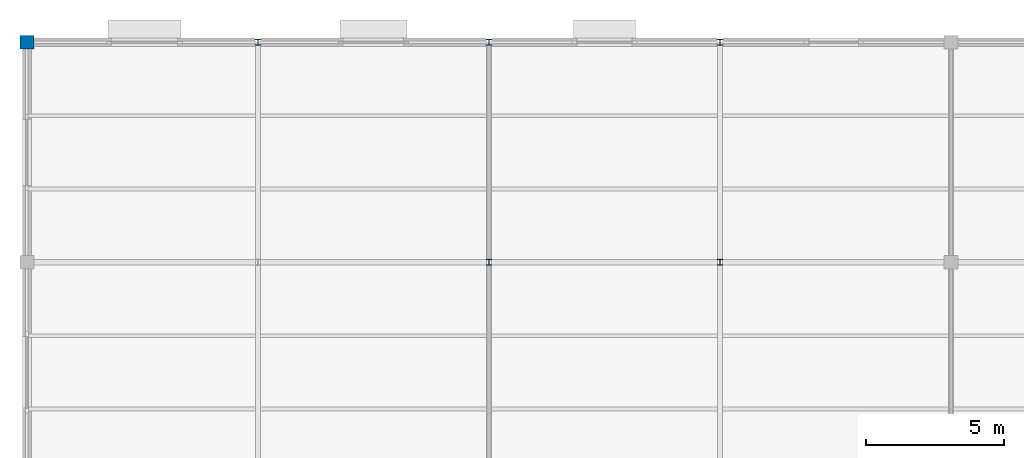
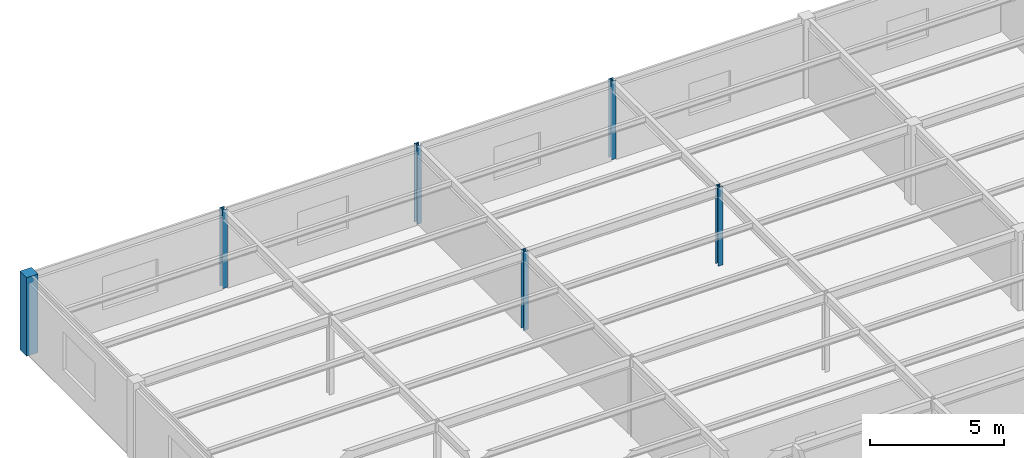
# One storey, part 6 of 32: 6 columns.
"""IFC4 building model written with IfcOpenShell, lengths in metres."""

from ifc_helpers import new_model, si_unit, direction, frame, origin, origin_2d, place, context, subcontext, project, spatial, rectangle, i_section, extrude, material, material_profile, profile_set, type_object, element, save


model = new_model("IFC4")

# Units and contexts
model_context = context("Model", 3, precision=1e-05, world=origin(), true_north=direction((0.0, 1.0)))
body_context = subcontext(model_context, "Body", "Model", "MODEL_VIEW")
ifc_project = project(units=[si_unit("LENGTHUNIT", "METRE"), si_unit("AREAUNIT", "SQUARE_METRE"), si_unit("VOLUMEUNIT", "CUBIC_METRE"), si_unit("PLANEANGLEUNIT", "RADIAN"), si_unit("MASSUNIT", "GRAM", prefix="KILO")], contexts=[model_context])

# Site, building, storey
site_placement = place(None, origin())
site = spatial("IfcSite", under=ifc_project, at=site_placement, CompositionType="ELEMENT")
building_placement = place(site_placement, origin())
building = spatial("IfcBuilding", under=site, at=building_placement, Name="Kranzveld Transit Interchange", CompositionType="ELEMENT")
storey_placement = place(building_placement, frame((0.0, 0.0, 17.199951171875)))
storey = spatial("IfcBuildingStorey", under=building, at=storey_placement, Name="L04", CompositionType="ELEMENT", Elevation=17.199951171875)

# Columns
ifc_material_1 = material(Name="Concrete C35/45", Category="concrete")
ifc_material_profile_1 = material_profile(ifc_material_1, rectangle(XDim=0.5, YDim=0.5, at=origin_2d()), Name="RC 500x500")
ifc_profile_set_1 = profile_set([ifc_material_profile_1], Name="Concrete C35/45")
column_type_1 = type_object("IfcColumnType", Name="Column RC 500x500 C35/45", PredefinedType="COLUMN", material=ifc_profile_set_1)
column_placement = place(storey_placement, frame((0.0, 112.0, 0.0), z_axis=(0.0, 0.0, 1.0), x_axis=(1.0, 0.0, 0.0)))
element("IfcColumn", 1, at=column_placement, inside=storey, type_object=column_type_1, Name="L04 Column 01/Q", PredefinedType="COLUMN", context=body_context, shape_type="SweptSolid", body=[
    extrude(rectangle(XDim=0.5, YDim=0.5, at=origin_2d()), origin(), (0.0, 0.0, 1.0), 3.590087890625),
])
ifc_material_2 = material(Name="Steel S355JR", Category="steel")
ifc_material_profile_2 = material_profile(ifc_material_2, i_section(OverallWidth=0.205810546875, OverallDepth=0.209716796875, WebThickness=0.009521484375, FlangeThickness=0.01416015625, FilletRadius=0.01025390625, at=origin_2d()), Name="UC 203x203x60")
ifc_profile_set_2 = profile_set([ifc_material_profile_2], Name="Steel S355JR")
column_type_2 = type_object("IfcColumnType", Name="Column Steel UC 203x203x60 S355JR", PredefinedType="COLUMN", material=ifc_profile_set_2)
for number, where, z_axis, x_axis, name in (
    (2, (8.39990234375, 112.0, 0.0), (0.0, 0.0, 1.0), (1.0, 0.0, 0.0), "L04 Column 02/Q"),
    (3, (16.800048828125, 104.0, 0.0), (0.0, 0.0, 1.0), (1.0, 0.0, 0.0), "L04 Column 03/P"),
    (4, (16.800048828125, 112.0, 0.0), (0.0, 0.0, 1.0), (1.0, 0.0, 0.0), "L04 Column 03/Q"),
    (5, (25.199951171875, 104.0, 0.0), (0.0, 0.0, 1.0), (1.0, 0.0, 0.0), "L04 Column 04/P"),
    (6, (25.199951171875, 112.0, 0.0), (0.0, 0.0, 1.0), (1.0, 0.0, 0.0), "L04 Column 04/Q"),
):
    element("IfcColumn", number, at=place(storey_placement, frame(where, z_axis=z_axis, x_axis=x_axis)), inside=storey, type_object=column_type_2, Name=name, PredefinedType="COLUMN", context=body_context, shape_type="SweptSolid", body=[
        extrude(i_section(OverallWidth=0.205810546875, OverallDepth=0.209716796875, WebThickness=0.009521484375, FlangeThickness=0.01416015625, FilletRadius=0.01025390625, at=origin_2d()), origin(), (0.0, 0.0, 1.0), 3.590087890625),
    ])

save(model, "model.ifc")
